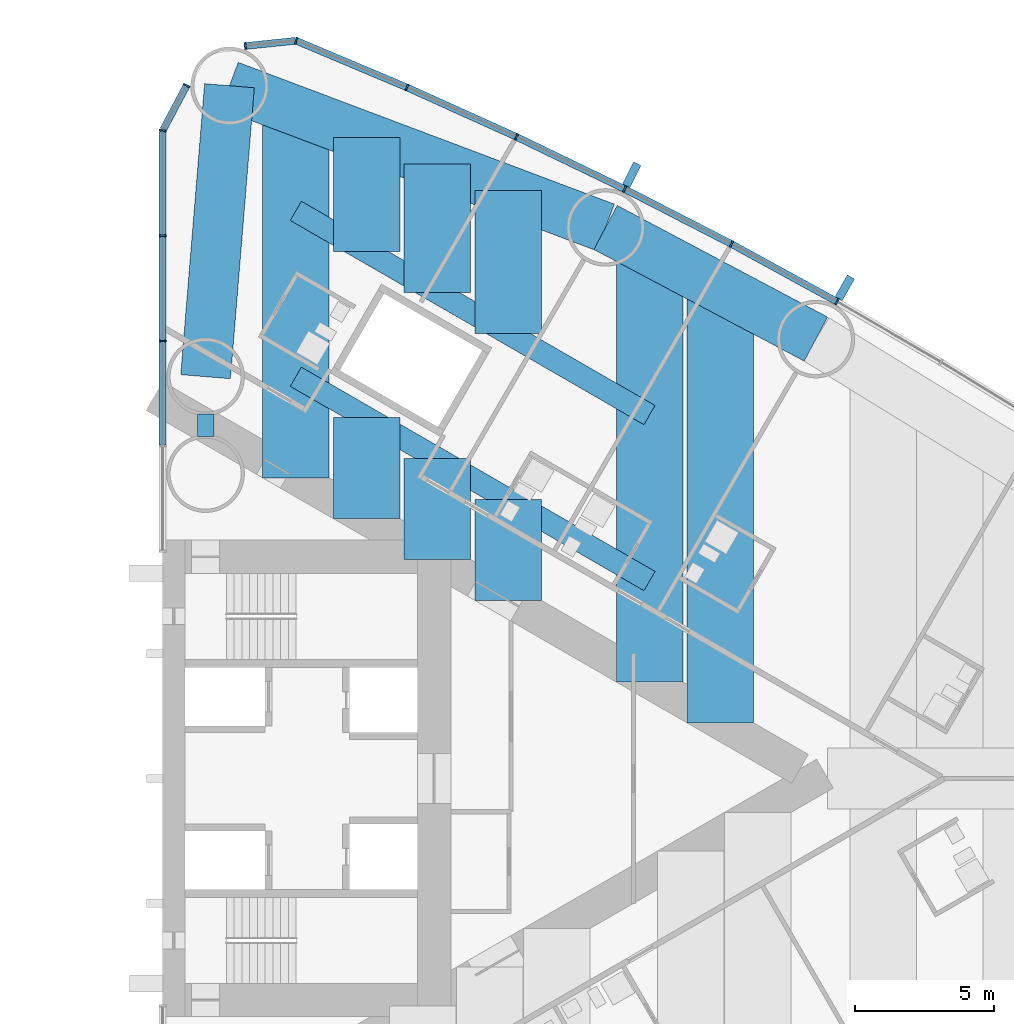
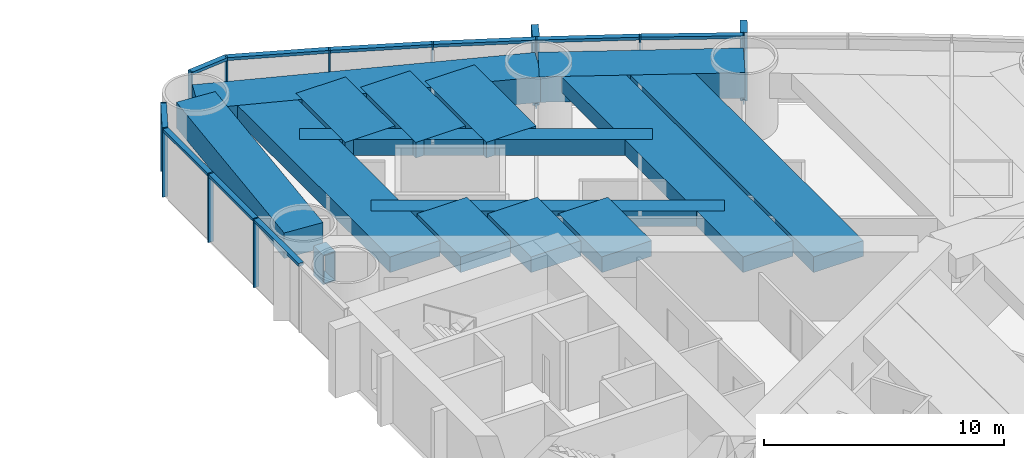
# One storey, part 7 of 19: 23 members, 15 beams, 2 elements without a shape of their own.
"""IFC4 building model written with IfcOpenShell, lengths in metres."""

from ifc_helpers import new_model, si_unit, direction, frame, origin, origin_2d, place, context, subcontext, project, spatial, rectangle, hollow_rectangle, extrude, material, material_profile, profile_set, type_object, element, aggregate, save


model = new_model("IFC4")

# Units and contexts
model_context = context("Model", 3, precision=1e-05, world=origin(), true_north=direction((0.0, 1.0)))
body_context = subcontext(model_context, "Body", "Model", "MODEL_VIEW")
ifc_project = project(units=[si_unit("LENGTHUNIT", "METRE"), si_unit("AREAUNIT", "SQUARE_METRE"), si_unit("VOLUMEUNIT", "CUBIC_METRE"), si_unit("PLANEANGLEUNIT", "RADIAN"), si_unit("MASSUNIT", "GRAM", prefix="KILO")], contexts=[model_context])

# Site, building, storey
site_placement = place(None, origin())
site = spatial("IfcSite", under=ifc_project, at=site_placement, CompositionType="ELEMENT")
building_placement = place(site_placement, origin())
building = spatial("IfcBuilding", under=site, at=building_placement, Name="Lancet Gate Hotel", CompositionType="ELEMENT")
storey_placement = place(building_placement, frame((0.0, 0.0, 39.0)))
storey = spatial("IfcBuildingStorey", under=building, at=storey_placement, Name="L09", CompositionType="ELEMENT", Elevation=39.0)

# Curtain wall, members
ifc_material_1 = material(Name="Aluminium curtain wall", Category="aluminium")
curtain_wall_type = type_object("IfcCurtainWallType", Name="Tower unitised curtain wall", PredefinedType="USERDEFINED", material=ifc_material_1)
curtain_wall_1_placement = place(storey_placement, origin())
curtain_wall_1 = element("IfcCurtainWall", 1, at=curtain_wall_1_placement, inside=storey, type_object=curtain_wall_type, Name="T2 L09 curtain wall 3", ObjectType="UNITISED CURTAIN WALL", PredefinedType="USERDEFINED")
ifc_material_2 = material(Name="Aluminium mullion", Category="aluminium")
ifc_material_profile_1 = material_profile(ifc_material_2, rectangle(XDim=0.06494140625, YDim=0.25, at=origin_2d()), Name="MULLION 65x250")
ifc_profile_set_1 = profile_set([ifc_material_profile_1], Name="Aluminium mullion")
member_type_1 = type_object("IfcMemberType", Name="Aluminium mullion 65x250", PredefinedType="MULLION", material=ifc_profile_set_1)
member_1_placement = place(storey_placement, frame((51.838623046875, 17.208740234375, 0.0), z_axis=(0.0, 0.0, 1.0), x_axis=(-0.871190450382, 0.490945209941, 0.0)))
member_1 = element("IfcMember", 2, at=member_1_placement, type_object=member_type_1, Name="T2 L09 curtain wall 3 mullion 8", PredefinedType="MULLION", context=body_context, shape_type="SweptSolid", body=[
    extrude(rectangle(XDim=0.06494140625, YDim=0.25, at=origin_2d()), origin(), (0.0, 0.0, 1.0), 3.5),
])
member_2_placement = place(storey_placement, frame((48.03271484375, 19.2900390625, 0.0), z_axis=(0.0, 0.0, 1.0), x_axis=(-0.88340346743, 0.468613181347, 0.0)))
member_2 = element("IfcMember", 3, at=member_2_placement, type_object=member_type_1, Name="T2 L09 curtain wall 3 mullion 9", PredefinedType="MULLION", context=body_context, shape_type="SweptSolid", body=[
    extrude(rectangle(XDim=0.06494140625, YDim=0.25, at=origin_2d()), origin(), (0.0, 0.0, 1.0), 3.5),
])
member_3_placement = place(storey_placement, frame((44.17529296875, 21.273681640625, 0.0), z_axis=(0.0, 0.0, 1.0), x_axis=(-0.895044147438, 0.445977548917, 0.0)))
member_3 = element("IfcMember", 4, at=member_3_placement, type_object=member_type_1, Name="T2 L09 curtain wall 3 mullion 10", PredefinedType="MULLION", context=body_context, shape_type="SweptSolid", body=[
    extrude(rectangle(XDim=0.06494140625, YDim=0.25, at=origin_2d()), origin(), (0.0, 0.0, 1.0), 3.5),
])
member_4_placement = place(storey_placement, frame((40.2685546875, 23.15869140625, 0.0), z_axis=(0.0, 0.0, 1.0), x_axis=(-0.906104948671, 0.423052977762, 0.0)))
member_4 = element("IfcMember", 5, at=member_4_placement, type_object=member_type_1, Name="T2 L09 curtain wall 3 mullion 11", PredefinedType="MULLION", context=body_context, shape_type="SweptSolid", body=[
    extrude(rectangle(XDim=0.06494140625, YDim=0.25, at=origin_2d()), origin(), (0.0, 0.0, 1.0), 3.5),
])
member_5_placement = place(storey_placement, frame((36.31494140625, 24.943603515625, 0.0), z_axis=(0.0, 0.0, 1.0), x_axis=(-0.916578705089, 0.399854320193, 0.0)))
member_5 = element("IfcMember", 6, at=member_5_placement, type_object=member_type_1, Name="T2 L09 curtain wall 3 mullion 12", PredefinedType="MULLION", context=body_context, shape_type="SweptSolid", body=[
    extrude(rectangle(XDim=0.06494140625, YDim=0.25, at=origin_2d()), origin(), (0.0, 0.0, 1.0), 3.5),
])
member_6_placement = place(storey_placement, frame((32.3173828125, 26.62744140625, 0.0), z_axis=(0.0, 0.0, 1.0), x_axis=(-0.968721492963, 0.248150496819, 0.0)))
member_6 = element("IfcMember", 7, at=member_6_placement, type_object=member_type_1, Name="T2 L09 curtain wall 3 mullion 13", PredefinedType="MULLION", context=body_context, shape_type="SweptSolid", body=[
    extrude(rectangle(XDim=0.06494140625, YDim=0.25, at=origin_2d()), origin(), (0.0, 0.0, 1.0), 3.5),
])
member_7_placement = place(storey_placement, frame((30.48388671875, 26.4375, 0.0), z_axis=(0.0, 0.0, 1.0), x_axis=(-0.994672262412, -0.10308778001, 0.0)))
member_7 = element("IfcMember", 8, at=member_7_placement, type_object=member_type_1, Name="T2 L09 curtain wall 3 mullion 14", PredefinedType="MULLION", context=body_context, shape_type="SweptSolid", body=[
    extrude(rectangle(XDim=0.06494140625, YDim=0.25, at=origin_2d()), origin(), (0.0, 0.0, 1.0), 3.5),
])

curtain_wall_2_placement = place(storey_placement, origin())
curtain_wall_2 = element("IfcCurtainWall", 9, at=curtain_wall_2_placement, inside=storey, type_object=curtain_wall_type, Name="T2 L09 curtain wall 4", ObjectType="UNITISED CURTAIN WALL", PredefinedType="USERDEFINED")
member_8_placement = place(storey_placement, frame((28.366455078125, 25.012451171875, 0.0), z_axis=(0.0, 0.0, 1.0), x_axis=(-0.469897827284, -0.882720811987, 0.0)))
member_8 = element("IfcMember", 10, at=member_8_placement, type_object=member_type_1, Name="T2 L09 curtain wall 4 mullion 1", PredefinedType="MULLION", context=body_context, shape_type="SweptSolid", body=[
    extrude(rectangle(XDim=0.06494140625, YDim=0.25, at=origin_2d()), origin(), (0.0, 0.0, 1.0), 3.5),
])
member_9_placement = place(storey_placement, frame((27.5, 23.384765625, 0.0), z_axis=(0.0, 0.0, 1.0), x_axis=(-0.157751691459, -0.987478811844, 0.0)))
member_9 = element("IfcMember", 11, at=member_9_placement, type_object=member_type_1, Name="T2 L09 curtain wall 4 mullion 2", PredefinedType="MULLION", context=body_context, shape_type="SweptSolid", body=[
    extrude(rectangle(XDim=0.06494140625, YDim=0.25, at=origin_2d()), origin(), (0.0, 0.0, 1.0), 3.5),
])
member_10_placement = place(storey_placement, frame((27.5, 19.588623046875, 0.0), z_axis=(0.0, 0.0, 1.0), x_axis=(0.0, -1.0, 0.0)))
member_10 = element("IfcMember", 12, at=member_10_placement, type_object=member_type_1, Name="T2 L09 curtain wall 4 mullion 3", PredefinedType="MULLION", context=body_context, shape_type="SweptSolid", body=[
    extrude(rectangle(XDim=0.06494140625, YDim=0.25, at=origin_2d()), origin(), (0.0, 0.0, 1.0), 3.5),
])
member_11_placement = place(storey_placement, frame((27.5, 15.79248046875, 0.0), z_axis=(0.0, 0.0, 1.0), x_axis=(0.0, -1.0, 0.0)))
member_11 = element("IfcMember", 13, at=member_11_placement, type_object=member_type_1, Name="T2 L09 curtain wall 4 mullion 4", PredefinedType="MULLION", context=body_context, shape_type="SweptSolid", body=[
    extrude(rectangle(XDim=0.06494140625, YDim=0.25, at=origin_2d()), origin(), (0.0, 0.0, 1.0), 3.5),
])

# Member
ifc_material_3 = material(Name="Aluminium transom", Category="aluminium")
ifc_material_profile_2 = material_profile(ifc_material_3, rectangle(XDim=0.25, YDim=0.14990234375, at=origin_2d()), Name="TRANSOM 250x150")
ifc_profile_set_2 = profile_set([ifc_material_profile_2], Name="Aluminium transom")
member_type_2 = type_object("IfcMemberType", Name="Aluminium transom 250x150", PredefinedType="USERDEFINED", material=ifc_profile_set_2)
member_12_placement = place(storey_placement, frame((51.81005859375, 17.224365234375, 3.425048828125), z_axis=(-0.877377528879, 0.479800658417, 0.0), x_axis=(-0.479800658417, -0.877377528879, 0.0)))
member_12 = element("IfcMember", 14, at=member_12_placement, type_object=member_type_2, Name="T2 L09 curtain wall 3 transom 8", ObjectType="TRANSOM", PredefinedType="USERDEFINED", context=body_context, shape_type="SweptSolid", body=[
    extrude(rectangle(XDim=0.25, YDim=0.14990234375, at=origin_2d()), origin(), (0.0, 0.0, 1.0), 4.272705078125),
])

member_13_placement = place(storey_placement, frame((48.00390625, 19.304931640625, 3.425048828125), z_axis=(-0.88929576978, 0.457332520002, 0.0), x_axis=(-0.457332520002, -0.88929576978, 0.0)))
member_13 = element("IfcMember", 15, at=member_13_placement, type_object=member_type_2, Name="T2 L09 curtain wall 3 transom 9", ObjectType="TRANSOM", PredefinedType="USERDEFINED", context=body_context, shape_type="SweptSolid", body=[
    extrude(rectangle(XDim=0.25, YDim=0.14990234375, at=origin_2d()), origin(), (0.0, 0.0, 1.0), 4.272705078125),
])

member_14_placement = place(storey_placement, frame((44.14599609375, 21.287841796875, 3.425048828125), z_axis=(-0.900646499888, 0.434552508035, 0.0), x_axis=(-0.434552508035, -0.900646499888, 0.0)))
member_14 = element("IfcMember", 16, at=member_14_placement, type_object=member_type_2, Name="T2 L09 curtain wall 3 transom 10", ObjectType="TRANSOM", PredefinedType="USERDEFINED", context=body_context, shape_type="SweptSolid", body=[
    extrude(rectangle(XDim=0.25, YDim=0.14990234375, at=origin_2d()), origin(), (0.0, 0.0, 1.0), 4.272705078125),
])

member_15_placement = place(storey_placement, frame((40.23876953125, 23.172119140625, 3.425048828125), z_axis=(-0.911396871737, 0.411528543589, 0.0), x_axis=(-0.411528543589, -0.911396871737, 0.0)))
member_15 = element("IfcMember", 17, at=member_15_placement, type_object=member_type_2, Name="T2 L09 curtain wall 3 transom 11", ObjectType="TRANSOM", PredefinedType="USERDEFINED", context=body_context, shape_type="SweptSolid", body=[
    extrude(rectangle(XDim=0.25, YDim=0.14990234375, at=origin_2d()), origin(), (0.0, 0.0, 1.0), 4.272705078125),
])

member_16_placement = place(storey_placement, frame((36.28515625, 24.956298828125, 3.425048828125), z_axis=(-0.92159772617, 0.388146404233, 0.0), x_axis=(-0.388146404233, -0.92159772617, 0.0)))
member_16 = element("IfcMember", 18, at=member_16_placement, type_object=member_type_2, Name="T2 L09 curtain wall 3 transom 12", ObjectType="TRANSOM", PredefinedType="USERDEFINED", context=body_context, shape_type="SweptSolid", body=[
    extrude(rectangle(XDim=0.25, YDim=0.14990234375, at=origin_2d()), origin(), (0.0, 0.0, 1.0), 4.272705078125),
])

member_17_placement = place(storey_placement, frame((32.28515625, 26.6240234375, 3.425048828125), z_axis=(-0.994670452051, -0.103105246306, 0.0), x_axis=(0.103105246306, -0.994670452051, 0.0)))
member_17 = element("IfcMember", 19, at=member_17_placement, type_object=member_type_2, Name="T2 L09 curtain wall 3 transom 13", ObjectType="TRANSOM", PredefinedType="USERDEFINED", context=body_context, shape_type="SweptSolid", body=[
    extrude(rectangle(XDim=0.25, YDim=0.14990234375, at=origin_2d()), origin(), (0.0, 0.0, 1.0), 1.7783203125),
])

member_18_placement = place(storey_placement, frame((28.351318359375, 24.98388671875, 3.425048828125), z_axis=(-0.469904276347, -0.882717378933, 0.0), x_axis=(0.882717378933, -0.469904276347, 0.0)))
member_18 = element("IfcMember", 20, at=member_18_placement, type_object=member_type_2, Name="T2 L09 curtain wall 4 transom 1", ObjectType="TRANSOM", PredefinedType="USERDEFINED", context=body_context, shape_type="SweptSolid", body=[
    extrude(rectangle(XDim=0.25, YDim=0.14990234375, at=origin_2d()), origin(), (0.0, 0.0, 1.0), 1.779052734375),
])

member_19_placement = place(storey_placement, frame((27.5, 23.352294921875, 3.425048828125), z_axis=(0.0, -1.0, 0.0), x_axis=(1.0, 0.0, 0.0)))
member_19 = element("IfcMember", 21, at=member_19_placement, type_object=member_type_2, Name="T2 L09 curtain wall 4 transom 2", ObjectType="TRANSOM", PredefinedType="USERDEFINED", context=body_context, shape_type="SweptSolid", body=[
    extrude(rectangle(XDim=0.25, YDim=0.14990234375, at=origin_2d()), origin(), (0.0, 0.0, 1.0), 3.731201171875),
])

member_20_placement = place(storey_placement, frame((27.5, 19.55615234375, 3.425048828125), z_axis=(0.0, -1.0, 0.0), x_axis=(1.0, 0.0, 0.0)))
member_20 = element("IfcMember", 22, at=member_20_placement, type_object=member_type_2, Name="T2 L09 curtain wall 4 transom 3", ObjectType="TRANSOM", PredefinedType="USERDEFINED", context=body_context, shape_type="SweptSolid", body=[
    extrude(rectangle(XDim=0.25, YDim=0.14990234375, at=origin_2d()), origin(), (0.0, 0.0, 1.0), 3.731201171875),
])

member_21_placement = place(storey_placement, frame((27.5, 15.760009765625, 3.425048828125), z_axis=(0.0, -1.0, 0.0), x_axis=(1.0, 0.0, 0.0)))
member_21 = element("IfcMember", 23, at=member_21_placement, type_object=member_type_2, Name="T2 L09 curtain wall 4 transom 4", ObjectType="TRANSOM", PredefinedType="USERDEFINED", context=body_context, shape_type="SweptSolid", body=[
    extrude(rectangle(XDim=0.25, YDim=0.14990234375, at=origin_2d()), origin(), (0.0, 0.0, 1.0), 3.731201171875),
])

aggregate(curtain_wall_2, [member_8, member_9, member_10, member_11, member_18, member_19, member_20, member_21])

# Beams
ifc_material_4 = material(Name="Concrete C50/60", Category="concrete")
ifc_material_profile_3 = material_profile(ifc_material_4, rectangle(XDim=1.800048828125, YDim=1.300048828125, at=origin_2d()), Name="RC 1800x1300")
ifc_profile_set_3 = profile_set([ifc_material_profile_3], Name="Concrete C50/60")
beam_type_1 = type_object("IfcBeamType", Name="Edge beam RC 1800x1300", PredefinedType="SPANDREL", material=ifc_profile_set_3)
beam_1_placement = place(storey_placement, frame((51.07763671875, 15.8583984375, 2.60009765625), z_axis=(-0.883403493655, 0.46861313191, 0.0), x_axis=(-0.46861313191, -0.883403493655, 0.0)))
element("IfcBeam", 24, at=beam_1_placement, inside=storey, type_object=beam_type_1, Name="T2 edge beam EB1 L09", PredefinedType="SPANDREL", context=body_context, shape_type="SweptSolid", body=[
    extrude(rectangle(XDim=1.800048828125, YDim=1.300048828125, at=origin_2d()), origin(), (0.0, 0.0, 1.0), 8.595703125),
])
beam_2_placement = place(storey_placement, frame((43.484130859375, 19.886474609375, 2.60009765625), z_axis=(-0.935736448066, 0.352700013836, 0.0), x_axis=(-0.352700013836, -0.935736448066, 0.0)))
element("IfcBeam", 25, at=beam_2_placement, inside=storey, type_object=beam_type_1, Name="T2 edge beam EB1 L09", PredefinedType="SPANDREL", context=body_context, shape_type="SweptSolid", body=[
    extrude(rectangle(XDim=1.800048828125, YDim=1.300048828125, at=origin_2d()), origin(), (0.0, 0.0, 1.0), 14.505126953125),
])
beam_3_placement = place(storey_placement, frame((29.050048828125, 14.5, 2.60009765625), z_axis=(0.081714744052, 0.996655758326, 0.0), x_axis=(-0.996655758326, 0.081714744052, 0.0)))
element("IfcBeam", 26, at=beam_3_placement, inside=storey, type_object=beam_type_1, Name="T2 edge beam EB1 L09", PredefinedType="SPANDREL", context=body_context, shape_type="SweptSolid", body=[
    extrude(rectangle(XDim=1.800048828125, YDim=1.300048828125, at=origin_2d()), origin(), (0.0, 0.0, 1.0), 10.53759765625),
])

# Member
ifc_material_5 = material(Name="Precast concrete C50/60", Category="concrete")
ifc_material_profile_4 = material_profile(ifc_material_5, rectangle(XDim=0.300048828125, YDim=0.89990234375, at=origin_2d()), Name="FIN 300x900")
ifc_profile_set_4 = profile_set([ifc_material_profile_4], Name="Precast concrete C50/60")
member_type_3 = type_object("IfcMemberType", Name="Exposed concrete fin 300x900", PredefinedType="USERDEFINED", material=ifc_profile_set_4)
member_22_placement = place(storey_placement, frame((52.120849609375, 17.709716796875, 0.0), z_axis=(0.0, 0.0, 1.0), x_axis=(-0.871190450382, 0.490945209941, 0.0)))
member_22 = element("IfcMember", 27, at=member_22_placement, type_object=member_type_3, Name="T2 L09 curtain wall 3 fin 8", ObjectType="FIN", PredefinedType="USERDEFINED", context=body_context, shape_type="SweptSolid", body=[
    extrude(rectangle(XDim=0.300048828125, YDim=0.89990234375, at=origin_2d()), origin(), (0.0, 0.0, 1.0), 3.5),
])

member_23_placement = place(storey_placement, frame((44.431640625, 21.788330078125, 0.0), z_axis=(0.0, 0.0, 1.0), x_axis=(-0.895044147438, 0.445977548917, 0.0)))
member_23 = element("IfcMember", 28, at=member_23_placement, type_object=member_type_3, Name="T2 L09 curtain wall 3 fin 10", ObjectType="FIN", PredefinedType="USERDEFINED", context=body_context, shape_type="SweptSolid", body=[
    extrude(rectangle(XDim=0.300048828125, YDim=0.89990234375, at=origin_2d()), origin(), (0.0, 0.0, 1.0), 3.5),
])

aggregate(curtain_wall_1, [member_1, member_22, member_2, member_3, member_23, member_4, member_5, member_6, member_7, member_12, member_13, member_14, member_15, member_16, member_17])

# Beams
ifc_material_6 = material(Name="Concrete C50/60", Category="concrete")
ifc_material_profile_5 = material_profile(ifc_material_6, rectangle(XDim=2.39990234375, YDim=0.800048828125, at=origin_2d()), Name="RC 2400x800")
ifc_profile_set_5 = profile_set([ifc_material_profile_5], Name="Concrete C50/60")
beam_type_2 = type_object("IfcBeamType", Name="Floor beam RC 2400x800", PredefinedType="BEAM", material=ifc_profile_set_5)
beam_4_placement = place(storey_placement, frame((32.306396484375, 10.851806640625, 2.85009765625), z_axis=(0.0, 1.0, 0.0), x_axis=(-1.0, 0.0, 0.0)))
element("IfcBeam", 29, at=beam_4_placement, inside=storey, type_object=beam_type_2, Name="T2 floor beam F04N L09", PredefinedType="BEAM", context=body_context, shape_type="SweptSolid", body=[
    extrude(rectangle(XDim=2.39990234375, YDim=0.800048828125, at=origin_2d()), origin(), (0.0, 0.0, 1.0), 13.247802734375),
])
beam_5_placement = place(storey_placement, frame((45.072265625, 3.4814453125, 2.85009765625), z_axis=(0.0, 1.0, 0.0), x_axis=(-1.0, 0.0, 0.0)))
element("IfcBeam", 30, at=beam_5_placement, inside=storey, type_object=beam_type_2, Name="T2 floor beam F12N L09", PredefinedType="BEAM", context=body_context, shape_type="SweptSolid", body=[
    extrude(rectangle(XDim=2.39990234375, YDim=0.800048828125, at=origin_2d()), origin(), (0.0, 0.0, 1.0), 15.5625),
])
beam_6_placement = place(storey_placement, frame((47.62548828125, 2.00732421875, 2.85009765625), z_axis=(0.0, 1.0, 0.0), x_axis=(-1.0, 0.0, 0.0)))
element("IfcBeam", 31, at=beam_6_placement, inside=storey, type_object=beam_type_2, Name="T2 floor beam F14N L09", PredefinedType="BEAM", context=body_context, shape_type="SweptSolid", body=[
    extrude(rectangle(XDim=2.39990234375, YDim=0.800048828125, at=origin_2d()), origin(), (0.0, 0.0, 1.0), 15.68212890625),
])
beam_7_placement = place(storey_placement, frame((34.859619140625, 9.377685546875, 2.85009765625), z_axis=(0.0, 1.0, 0.0), x_axis=(-1.0, 0.0, 0.0)))
element("IfcBeam", 32, at=beam_7_placement, inside=storey, type_object=beam_type_2, Name="T2 floor beam F06NA L09", PredefinedType="BEAM", context=body_context, shape_type="SweptSolid", body=[
    extrude(rectangle(XDim=2.39990234375, YDim=0.800048828125, at=origin_2d()), origin(), (0.0, 0.0, 1.0), 3.645751953125),
])
beam_8_placement = place(storey_placement, frame((34.859619140625, 19.011474609375, 2.85009765625), z_axis=(0.0, 1.0, 0.0), x_axis=(-1.0, 0.0, 0.0)))
element("IfcBeam", 33, at=beam_8_placement, inside=storey, type_object=beam_type_2, Name="T2 floor beam F06NB L09", PredefinedType="BEAM", context=body_context, shape_type="SweptSolid", body=[
    extrude(rectangle(XDim=2.39990234375, YDim=0.800048828125, at=origin_2d()), origin(), (0.0, 0.0, 1.0), 4.125732421875),
])
beam_9_placement = place(storey_placement, frame((37.412841796875, 7.903564453125, 2.85009765625), z_axis=(0.0, 1.0, 0.0), x_axis=(-1.0, 0.0, 0.0)))
element("IfcBeam", 34, at=beam_9_placement, inside=storey, type_object=beam_type_2, Name="T2 floor beam F08NA L09", PredefinedType="BEAM", context=body_context, shape_type="SweptSolid", body=[
    extrude(rectangle(XDim=2.39990234375, YDim=0.800048828125, at=origin_2d()), origin(), (0.0, 0.0, 1.0), 3.6455078125),
])
beam_10_placement = place(storey_placement, frame((37.412841796875, 17.537109375, 2.85009765625), z_axis=(0.0, 1.0, 0.0), x_axis=(-1.0, 0.0, 0.0)))
element("IfcBeam", 35, at=beam_10_placement, inside=storey, type_object=beam_type_2, Name="T2 floor beam F08NB L09", PredefinedType="BEAM", context=body_context, shape_type="SweptSolid", body=[
    extrude(rectangle(XDim=2.39990234375, YDim=0.800048828125, at=origin_2d()), origin(), (0.0, 0.0, 1.0), 4.6376953125),
])
beam_11_placement = place(storey_placement, frame((39.9658203125, 6.429443359375, 2.85009765625), z_axis=(0.0, 1.0, 0.0), x_axis=(-1.0, 0.0, 0.0)))
element("IfcBeam", 36, at=beam_11_placement, inside=storey, type_object=beam_type_2, Name="T2 floor beam F10NA L09", PredefinedType="BEAM", context=body_context, shape_type="SweptSolid", body=[
    extrude(rectangle(XDim=2.39990234375, YDim=0.800048828125, at=origin_2d()), origin(), (0.0, 0.0, 1.0), 3.64501953125),
])
beam_12_placement = place(storey_placement, frame((39.9658203125, 16.062744140625, 2.85009765625), z_axis=(0.0, 1.0, 0.0), x_axis=(-1.0, 0.0, 0.0)))
element("IfcBeam", 37, at=beam_12_placement, inside=storey, type_object=beam_type_2, Name="T2 floor beam F10NB L09", PredefinedType="BEAM", context=body_context, shape_type="SweptSolid", body=[
    extrude(rectangle(XDim=2.39990234375, YDim=0.800048828125, at=origin_2d()), origin(), (0.0, 0.0, 1.0), 5.14990234375),
])
ifc_material_7 = material(Name="Steel S460QL", Category="steel")
ifc_material_profile_6 = material_profile(ifc_material_7, hollow_rectangle(XDim=0.60009765625, YDim=1.5, WallThickness=0.050048828125, at=origin_2d()), Name="BOX 1500x600x50")
ifc_profile_set_6 = profile_set([ifc_material_profile_6], Name="Steel S460QL")
beam_type_3 = type_object("IfcBeamType", Name="Inner-face link beam BOX 1500x600x50", PredefinedType="BEAM", material=ifc_profile_set_6)
beam_13_placement = place(storey_placement, frame((29.050048828125, 12.35009765625, 2.5), z_axis=(0.0, 1.0, 0.0), x_axis=(-1.0, 0.0, 0.0)))
element("IfcBeam", 38, at=beam_13_placement, inside=storey, type_object=beam_type_3, Name="T2 inner-face link beam LK1 L09", PredefinedType="BEAM", context=body_context, shape_type="SweptSolid", body=[
    extrude(hollow_rectangle(XDim=0.60009765625, YDim=1.5, WallThickness=0.050048828125, at=origin_2d()), origin(), (0.0, 0.0, 1.0), 0.7998046875),
])
ifc_material_8 = material(Name="Steel S460QL", Category="steel")
ifc_material_profile_7 = material_profile(ifc_material_8, hollow_rectangle(XDim=0.800048828125, YDim=0.800048828125, WallThickness=0.080078125, at=origin_2d()), Name="BOX 800x800x80")
ifc_profile_set_7 = profile_set([ifc_material_profile_7], Name="Steel S460QL")
beam_type_4 = type_object("IfcBeamType", Name="Trimmer beam BOX 800x800x80", PredefinedType="BEAM", material=ifc_profile_set_7)
beam_14_placement = place(storey_placement, frame((32.306396484375, 20.48583984375, 2.85009765625), z_axis=(0.86598286195, -0.500073677381, 0.0), x_axis=(0.500073677381, 0.86598286195, 0.0)))
element("IfcBeam", 39, at=beam_14_placement, inside=storey, type_object=beam_type_4, Name="T2 trimmer beam TR03N L09", PredefinedType="BEAM", context=body_context, shape_type="SweptSolid", body=[
    extrude(hollow_rectangle(XDim=0.800048828125, YDim=0.800048828125, WallThickness=0.080078125, at=origin_2d()), origin(), (0.0, 0.0, 1.0), 14.741455078125),
])
beam_15_placement = place(storey_placement, frame((32.306396484375, 14.497802734375, 2.85009765625), z_axis=(0.865975689888, -0.500086097111, 0.0), x_axis=(0.500086097111, 0.865975689888, 0.0)))
element("IfcBeam", 40, at=beam_15_placement, inside=storey, type_object=beam_type_4, Name="T2 trimmer beam TR04N L09", PredefinedType="BEAM", context=body_context, shape_type="SweptSolid", body=[
    extrude(hollow_rectangle(XDim=0.800048828125, YDim=0.800048828125, WallThickness=0.080078125, at=origin_2d()), origin(), (0.0, 0.0, 1.0), 14.74169921875),
])

save(model, "model.ifc")
